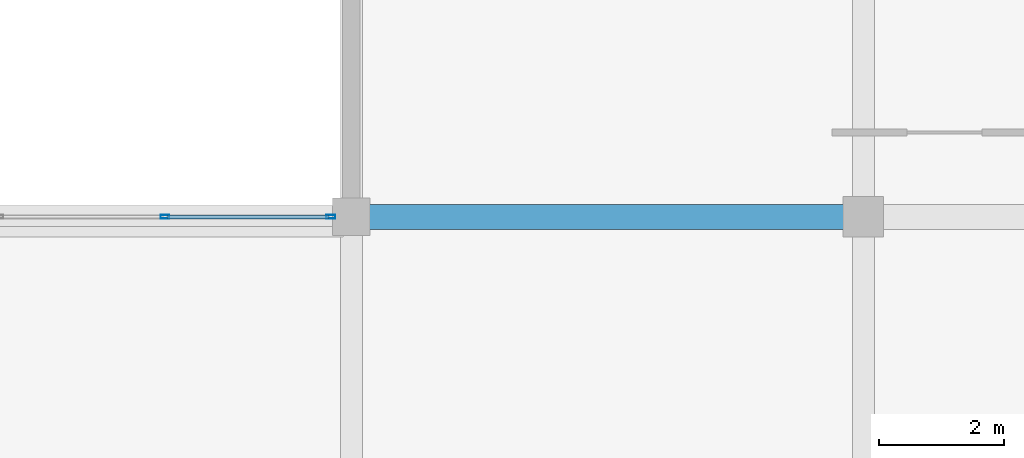
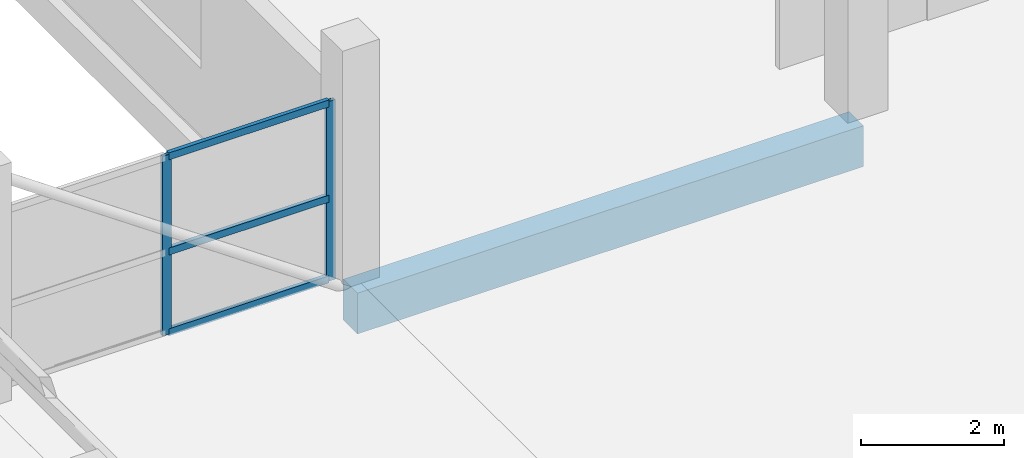
# One storey, part 42 of 70: 5 members, 1 beam, 1 element without a shape of its own.
"""IFC4 building model written with IfcOpenShell, lengths in metres."""

from ifc_helpers import new_model, si_unit, direction, frame, origin, origin_2d, place, context, subcontext, project, spatial, rectangle, hollow_rectangle, extrude, material, layer, layer_set, material_profile, profile_set, type_object, element, aggregate, save


model = new_model("IFC4")

# Units and contexts
model_context = context("Model", 3, precision=1e-05, world=origin(), true_north=direction((0.0, 1.0)))
body_context = subcontext(model_context, "Body", "Model", "MODEL_VIEW")
ifc_project = project(units=[si_unit("LENGTHUNIT", "METRE"), si_unit("AREAUNIT", "SQUARE_METRE"), si_unit("VOLUMEUNIT", "CUBIC_METRE"), si_unit("PLANEANGLEUNIT", "RADIAN"), si_unit("MASSUNIT", "GRAM", prefix="KILO")], contexts=[model_context])

# Site, building, storey
site_placement = place(None, origin())
site = spatial("IfcSite", under=ifc_project, at=site_placement, CompositionType="ELEMENT")
building_placement = place(site_placement, origin())
building = spatial("IfcBuilding", under=site, at=building_placement, Name="Sillaruma Civic Art Gallery", CompositionType="ELEMENT")
storey_placement = place(building_placement, frame((0.0, 0.0, 66.300048828125)))
storey = spatial("IfcBuildingStorey", under=building, at=storey_placement, Name="L13", CompositionType="ELEMENT", Elevation=66.300048828125)

# Beam
ifc_material_1 = material(Name="Concrete H35 (35 MPa)", Category="concrete")
ifc_material_profile_1 = material_profile(ifc_material_1, rectangle(XDim=0.39990234375, YDim=0.699951171875, at=origin_2d()), Name="RCB400x700")
ifc_profile_set_1 = profile_set([ifc_material_profile_1], Name="Concrete H35 (35 MPa)")
beam_type = type_object("IfcBeamType", Name="BM-BEAM-RCB400x700", PredefinedType="BEAM", material=ifc_profile_set_1)
beam_placement = place(storey_placement, frame((98.0, 79.199951171875, -0.580078125), z_axis=(1.0, 0.0, 0.0), x_axis=(0.0, 1.0, 0.0)))
element("IfcBeam", 1, at=beam_placement, inside=storey, type_object=beam_type, Name="Beam BM-04 (L12:9:L-M)", PredefinedType="BEAM", context=body_context, shape_type="SweptSolid", body=[
    extrude(rectangle(XDim=0.39990234375, YDim=0.699951171875, at=origin_2d()), origin(), (0.0, 0.0, 1.0), 8.199951171875),
])

# Curtain wall, members
ifc_material_2 = material(Name="Thermally Broken Extruded Aluminium 6063-T6", Category="aluminium")
ifc_layer = layer(ifc_material_2, 0.139892578125, Name="Thermally Broken Extruded Aluminium 6063-T6")
ifc_layer_set = layer_set([ifc_layer], Name="Thermally Broken Extruded Aluminium 6063-T6")
curtain_wall_type = type_object("IfcCurtainWallType", Name="CW-UNI-108", PredefinedType="NOTDEFINED", material=ifc_layer_set)
curtain_wall_placement = place(storey_placement, origin())
curtain_wall = element("IfcCurtainWall", 2, at=curtain_wall_placement, inside=storey, type_object=curtain_wall_type, Name="Unitised Curtain Wall CW-108 (CW-BRG-N-L13-N)", PredefinedType="NOTDEFINED")
ifc_material_profile_2 = material_profile(ifc_material_2, hollow_rectangle(XDim=0.06005859375, YDim=0.139892578125, WallThickness=0.00341796875, at=origin_2d()), Name="CWM60x140")
ifc_profile_set_2 = profile_set([ifc_material_profile_2], Name="Thermally Broken Extruded Aluminium 6063-T6")
member_type_1 = type_object("IfcMemberType", Name="MEM-MUL-CWM60x140", PredefinedType="MULLION", material=ifc_profile_set_2)
member_1_placement = place(storey_placement, frame((95.012451171875, 79.199951171875, 0.0), z_axis=(0.0, 0.0, 1.0), x_axis=(0.0, 1.0, 0.0)))
member_1 = element("IfcMember", 3, at=member_1_placement, type_object=member_type_1, Name="CW-108 mullion 2", PredefinedType="MULLION", context=body_context, shape_type="SweptSolid", body=[
    extrude(hollow_rectangle(XDim=0.06005859375, YDim=0.139892578125, WallThickness=0.00341796875, at=origin_2d()), origin(), (0.0, 0.0, 1.0), 3.079833984375),
])
member_2_placement = place(storey_placement, frame((97.669921875, 79.199951171875, 0.0), z_axis=(0.0, 0.0, 1.0), x_axis=(0.0, 1.0, 0.0)))
member_2 = element("IfcMember", 4, at=member_2_placement, type_object=member_type_1, Name="CW-108 mullion 3", PredefinedType="MULLION", context=body_context, shape_type="SweptSolid", body=[
    extrude(hollow_rectangle(XDim=0.06005859375, YDim=0.139892578125, WallThickness=0.00341796875, at=origin_2d()), origin(), (0.0, 0.0, 1.0), 3.079833984375),
])
ifc_material_profile_3 = material_profile(ifc_material_2, hollow_rectangle(XDim=0.06494140625, YDim=0.1201171875, WallThickness=0.00341796875, at=origin_2d()), Name="CWT65x120")
ifc_profile_set_3 = profile_set([ifc_material_profile_3], Name="Thermally Broken Extruded Aluminium 6063-T6")
member_type_2 = type_object("IfcMemberType", Name="MEM-TRN-CWT65x120", PredefinedType="USERDEFINED", material=ifc_profile_set_3)
member_3_placement = place(storey_placement, frame((95.04248046875, 79.199951171875, 0.032470703125), z_axis=(1.0, 0.0, 0.0), x_axis=(0.0, 1.0, 0.0)))
member_3 = element("IfcMember", 5, at=member_3_placement, type_object=member_type_2, Name="CW-108 transom 2.1", ObjectType="TRANSOM", PredefinedType="USERDEFINED", context=body_context, shape_type="SweptSolid", body=[
    extrude(hollow_rectangle(XDim=0.06494140625, YDim=0.1201171875, WallThickness=0.00341796875, at=origin_2d()), origin(), (0.0, 0.0, 1.0), 2.597412109375),
])
member_4_placement = place(storey_placement, frame((95.04248046875, 79.199951171875, 1.416748046875), z_axis=(1.0, 0.0, 0.0), x_axis=(0.0, 1.0, 0.0)))
member_4 = element("IfcMember", 6, at=member_4_placement, type_object=member_type_2, Name="CW-108 transom 2.2", ObjectType="TRANSOM", PredefinedType="USERDEFINED", context=body_context, shape_type="SweptSolid", body=[
    extrude(hollow_rectangle(XDim=0.06494140625, YDim=0.1201171875, WallThickness=0.00341796875, at=origin_2d()), origin(), (0.0, 0.0, 1.0), 2.597412109375),
])
member_5_placement = place(storey_placement, frame((95.04248046875, 79.199951171875, 3.04736328125), z_axis=(1.0, 0.0, 0.0), x_axis=(0.0, 1.0, 0.0)))
member_5 = element("IfcMember", 7, at=member_5_placement, type_object=member_type_2, Name="CW-108 transom 2.3", ObjectType="TRANSOM", PredefinedType="USERDEFINED", context=body_context, shape_type="SweptSolid", body=[
    extrude(hollow_rectangle(XDim=0.06494140625, YDim=0.1201171875, WallThickness=0.00341796875, at=origin_2d()), origin(), (0.0, 0.0, 1.0), 2.597412109375),
])
aggregate(curtain_wall, [member_1, member_2, member_3, member_4, member_5])

save(model, "model.ifc")
